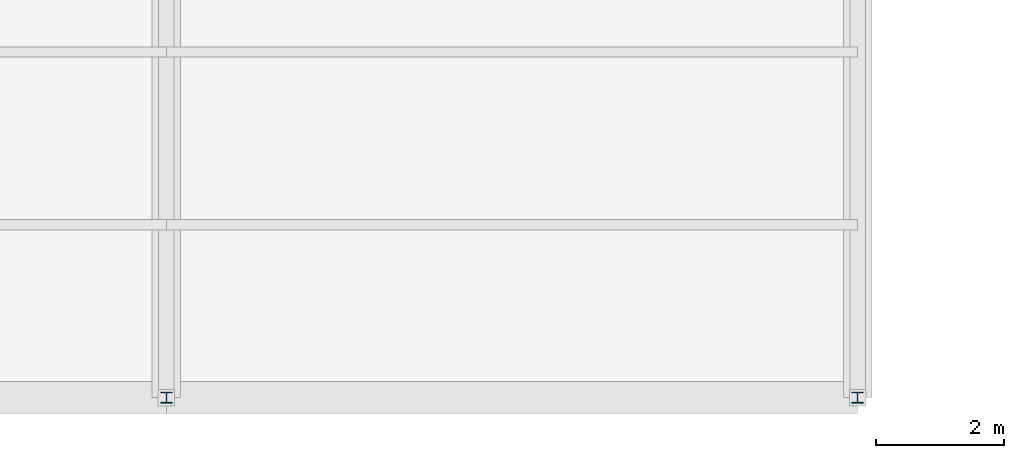
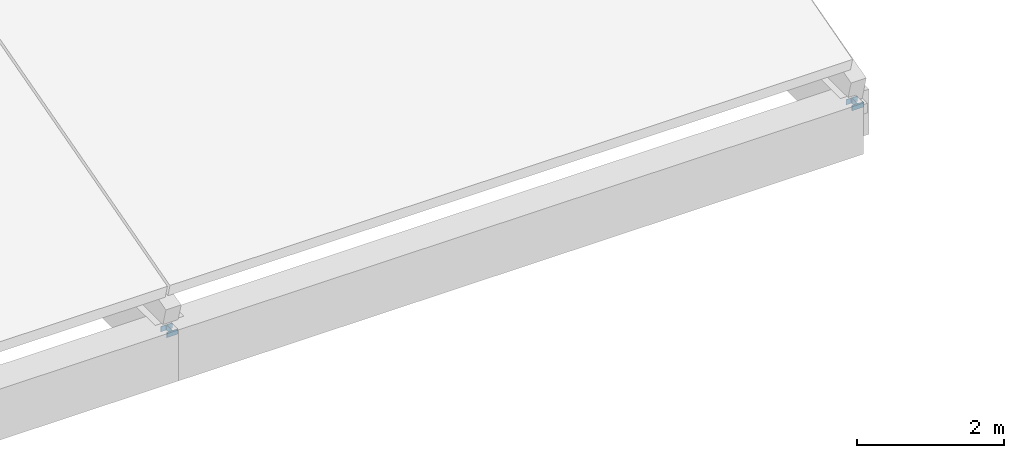
# One storey, part 67 of 112: 2 members.
"""IFC4 building model written with IfcOpenShell, lengths in metres."""

from ifc_helpers import new_model, si_unit, direction, frame, origin, origin_2d, place, context, subcontext, project, spatial, i_section, extrude, material, material_profile, profile_set, type_object, element, save


model = new_model("IFC4")

# Units and contexts
model_context = context("Model", 3, precision=1e-05, world=origin(), true_north=direction((0.0, 1.0)))
body_context = subcontext(model_context, "Body", "Model", "MODEL_VIEW")
ifc_project = project(units=[si_unit("LENGTHUNIT", "METRE"), si_unit("AREAUNIT", "SQUARE_METRE"), si_unit("VOLUMEUNIT", "CUBIC_METRE"), si_unit("PLANEANGLEUNIT", "RADIAN"), si_unit("MASSUNIT", "GRAM", prefix="KILO")], contexts=[model_context])

# Site, building, storey
site_placement = place(None, origin())
site = spatial("IfcSite", under=ifc_project, at=site_placement, CompositionType="ELEMENT")
building_placement = place(site_placement, origin())
building = spatial("IfcBuilding", under=site, at=building_placement, Name="Zwinboog Wholesale Market", CompositionType="ELEMENT")
storey_placement = place(building_placement, frame((0.0, 0.0, 19.080078125)))
storey = spatial("IfcBuildingStorey", under=building, at=storey_placement, Name="Roof", CompositionType="ELEMENT", Elevation=19.080078125)

# Members
ifc_material = material(Name="Steel S355", Category="steel")
ifc_material_profile = material_profile(ifc_material, i_section(OverallWidth=0.179931640625, OverallDepth=0.1708984375, WebThickness=0.006103515625, FlangeThickness=0.009521484375, FilletRadius=0.014892578125, at=origin_2d()), Name="HEA 180")
ifc_profile_set = profile_set([ifc_material_profile], Name="Steel S355")
member_type = type_object("IfcMemberType", Name="MT-07", PredefinedType="BRACE", material=ifc_profile_set)
for number, where, z_axis, x_axis, name in (
    (1, (32.39990234375, 0.0, -9.2001953125), (0.0, 0.0, 1.0), (1.0, 0.0, 0.0), "DB-04 (MEM-Roof-0676)"),
    (2, (43.199951171875, 0.0, -9.2001953125), (0.0, 0.0, 1.0), (1.0, 0.0, 0.0), "DB-04 (MEM-Roof-0679)"),
):
    element("IfcMember", number, at=place(storey_placement, frame(where, z_axis=z_axis, x_axis=x_axis)), inside=storey, type_object=member_type, Name=name, PredefinedType="BRACE", context=body_context, shape_type="SweptSolid", body=[
        extrude(i_section(OverallWidth=0.179931640625, OverallDepth=0.1708984375, WebThickness=0.006103515625, FlangeThickness=0.009521484375, FilletRadius=0.014892578125, at=origin_2d()), origin(), (0.0, 0.0, 1.0), 0.0869140625),
    ])

save(model, "model.ifc")
